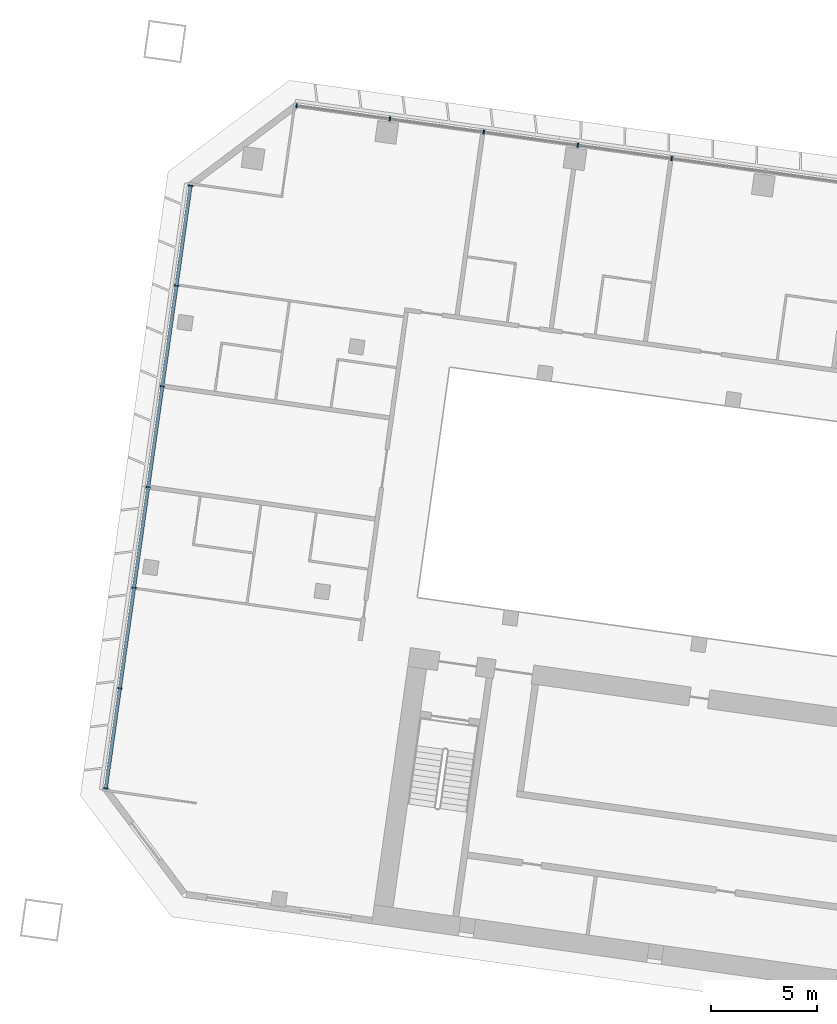
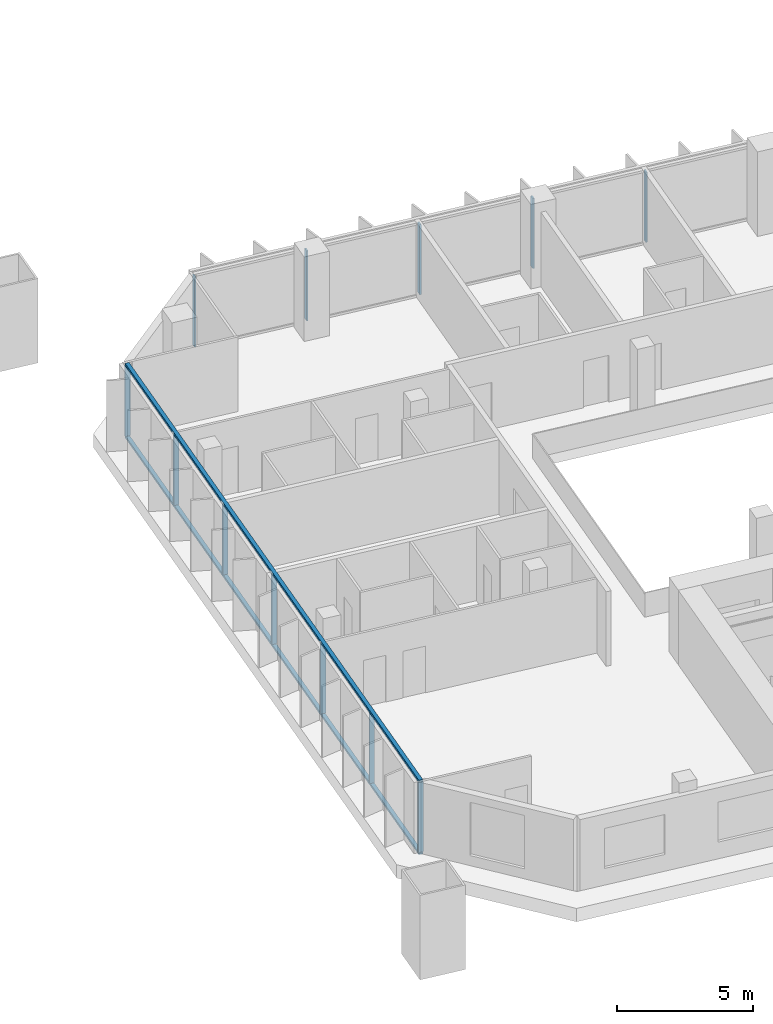
# One storey, part 2 of 24: 14 members, 2 elements without a shape of their own.
"""IFC4 building model written with IfcOpenShell, lengths in metres."""

from ifc_helpers import new_model, si_unit, direction, frame, origin, origin_2d, place, context, subcontext, project, spatial, rectangle, extrude, material, material_profile, profile_set, type_object, element, aggregate, save


model = new_model("IFC4")

# Units and contexts
model_context = context("Model", 3, precision=1e-05, world=origin(), true_north=direction((0.0, 1.0)))
body_context = subcontext(model_context, "Body", "Model", "MODEL_VIEW")
ifc_project = project(units=[si_unit("LENGTHUNIT", "METRE"), si_unit("AREAUNIT", "SQUARE_METRE"), si_unit("VOLUMEUNIT", "CUBIC_METRE"), si_unit("PLANEANGLEUNIT", "RADIAN"), si_unit("MASSUNIT", "GRAM", prefix="KILO")], contexts=[model_context])

# Site, building, storey
site_placement = place(None, origin())
site = spatial("IfcSite", under=ifc_project, at=site_placement, CompositionType="ELEMENT")
building_placement = place(site_placement, origin())
building = spatial("IfcBuilding", under=site, at=building_placement, Name="Mirante Cascada Hotel Towers", CompositionType="ELEMENT")
storey_placement = place(building_placement, frame((0.0, 0.0, 50.9)))
storey = spatial("IfcBuildingStorey", under=building, at=storey_placement, Name="L09", CompositionType="ELEMENT", Elevation=50.9)

# Curtain wall, members
ifc_material_1 = material(Name="Aluminium mullion and transom frame with clear laminated glass", Category="aluminium")
curtain_wall_type_1 = type_object("IfcCurtainWallType", Name="Ribbon curtain wall ECW1", PredefinedType="NOTDEFINED", material=ifc_material_1)
curtain_wall_1_placement = place(storey_placement, origin())
curtain_wall_1 = element("IfcCurtainWall", 1, at=curtain_wall_1_placement, inside=storey, type_object=curtain_wall_type_1, Name="Front ribbon wall T1 L09", PredefinedType="NOTDEFINED")
ifc_material_2 = material(Name="Anodised aluminium extrusion", Category="aluminium")
ifc_material_profile_1 = material_profile(ifc_material_2, rectangle(XDim=0.2, YDim=0.065, at=origin_2d()), Name="ECW1 MULLION 65x200")
ifc_profile_set_1 = profile_set([ifc_material_profile_1], Name="Anodised aluminium extrusion")
member_type_1 = type_object("IfcMemberType", Name="ECW1 mullion 65x200", PredefinedType="MULLION", material=ifc_profile_set_1)
member_1_placement = place(storey_placement, frame((-94.126, 26.0476, 0.1), z_axis=(0.0, 0.0, 1.0), x_axis=(0.1391731, 0.9902681, 0.0)))
member_1 = element("IfcMember", 2, at=member_1_placement, type_object=member_type_1, Name="ECW1 mullion 1", PredefinedType="MULLION", context=body_context, shape_type="SweptSolid", body=[
    extrude(rectangle(XDim=0.2, YDim=0.065, at=origin_2d()), origin(), (0.0, 0.0, 1.0), 3.15),
])
member_2_placement = place(storey_placement, frame((-89.7107, 25.427, 0.1), z_axis=(0.0, 0.0, 1.0), x_axis=(0.1391731, 0.9902681, 0.0)))
member_2 = element("IfcMember", 3, at=member_2_placement, type_object=member_type_1, Name="ECW1 mullion 2", PredefinedType="MULLION", context=body_context, shape_type="SweptSolid", body=[
    extrude(rectangle(XDim=0.2, YDim=0.065, at=origin_2d()), origin(), (0.0, 0.0, 1.0), 3.15),
])
member_3_placement = place(storey_placement, frame((-85.2633, 24.802, 0.1), z_axis=(0.0, 0.0, 1.0), x_axis=(0.1391731, 0.9902681, 0.0)))
member_3 = element("IfcMember", 4, at=member_3_placement, type_object=member_type_1, Name="ECW1 mullion 3", PredefinedType="MULLION", context=body_context, shape_type="SweptSolid", body=[
    extrude(rectangle(XDim=0.2, YDim=0.065, at=origin_2d()), origin(), (0.0, 0.0, 1.0), 3.15),
])
member_4_placement = place(storey_placement, frame((-80.8159, 24.177, 0.1), z_axis=(0.0, 0.0, 1.0), x_axis=(0.1391731, 0.9902681, 0.0)))
member_4 = element("IfcMember", 5, at=member_4_placement, type_object=member_type_1, Name="ECW1 mullion 4", PredefinedType="MULLION", context=body_context, shape_type="SweptSolid", body=[
    extrude(rectangle(XDim=0.2, YDim=0.065, at=origin_2d()), origin(), (0.0, 0.0, 1.0), 3.15),
])
member_5_placement = place(storey_placement, frame((-76.3685, 23.5519, 0.1), z_axis=(0.0, 0.0, 1.0), x_axis=(0.1391731, 0.9902681, 0.0)))
member_5 = element("IfcMember", 6, at=member_5_placement, type_object=member_type_1, Name="ECW1 mullion 5", PredefinedType="MULLION", context=body_context, shape_type="SweptSolid", body=[
    extrude(rectangle(XDim=0.2, YDim=0.065, at=origin_2d()), origin(), (0.0, 0.0, 1.0), 3.15),
])
aggregate(curtain_wall_1, [member_1, member_2, member_3, member_4, member_5])

ifc_material_3 = material(Name="Aluminium mullion and transom frame with clear laminated glass", Category="aluminium")
curtain_wall_type_2 = type_object("IfcCurtainWallType", Name="End ribbon curtain wall ECW2", PredefinedType="NOTDEFINED", material=ifc_material_3)
curtain_wall_2_placement = place(storey_placement, origin())
curtain_wall_2 = element("IfcCurtainWall", 7, at=curtain_wall_2_placement, inside=storey, type_object=curtain_wall_type_2, Name="Outer end wall T1 L09", PredefinedType="NOTDEFINED")
ifc_material_4 = material(Name="Anodised aluminium extrusion", Category="aluminium")
ifc_material_profile_2 = material_profile(ifc_material_4, rectangle(XDim=0.2, YDim=0.065, at=origin_2d()), Name="ECW2 MULLION 65x200")
ifc_profile_set_2 = profile_set([ifc_material_profile_2], Name="Anodised aluminium extrusion")
member_type_2 = type_object("IfcMemberType", Name="ECW2 mullion 65x200", PredefinedType="MULLION", material=ifc_profile_set_2)
member_6_placement = place(storey_placement, frame((-103.1556, -6.2656, 0.1), z_axis=(0.0, 0.0, 1.0), x_axis=(-0.9902681, 0.1391731, 0.0)))
member_6 = element("IfcMember", 8, at=member_6_placement, type_object=member_type_2, Name="ECW2 mullion 1", PredefinedType="MULLION", context=body_context, shape_type="SweptSolid", body=[
    extrude(rectangle(XDim=0.2, YDim=0.065, at=origin_2d()), origin(), (0.0, 0.0, 1.0), 3.15),
])
member_7_placement = place(storey_placement, frame((-102.4903, -1.532, 0.1), z_axis=(0.0, 0.0, 1.0), x_axis=(-0.9902681, 0.1391731, 0.0)))
member_7 = element("IfcMember", 9, at=member_7_placement, type_object=member_type_2, Name="ECW2 mullion 2", PredefinedType="MULLION", context=body_context, shape_type="SweptSolid", body=[
    extrude(rectangle(XDim=0.2, YDim=0.065, at=origin_2d()), origin(), (0.0, 0.0, 1.0), 3.15),
])
member_8_placement = place(storey_placement, frame((-101.8205, 3.2338, 0.1), z_axis=(0.0, 0.0, 1.0), x_axis=(-0.9902681, 0.1391731, 0.0)))
member_8 = element("IfcMember", 10, at=member_8_placement, type_object=member_type_2, Name="ECW2 mullion 3", PredefinedType="MULLION", context=body_context, shape_type="SweptSolid", body=[
    extrude(rectangle(XDim=0.2, YDim=0.065, at=origin_2d()), origin(), (0.0, 0.0, 1.0), 3.15),
])
member_9_placement = place(storey_placement, frame((-101.1508, 7.9996, 0.1), z_axis=(0.0, 0.0, 1.0), x_axis=(-0.9902681, 0.1391731, 0.0)))
member_9 = element("IfcMember", 11, at=member_9_placement, type_object=member_type_2, Name="ECW2 mullion 4", PredefinedType="MULLION", context=body_context, shape_type="SweptSolid", body=[
    extrude(rectangle(XDim=0.2, YDim=0.065, at=origin_2d()), origin(), (0.0, 0.0, 1.0), 3.15),
])
member_10_placement = place(storey_placement, frame((-100.481, 12.7654, 0.1), z_axis=(0.0, 0.0, 1.0), x_axis=(-0.9902681, 0.1391731, 0.0)))
member_10 = element("IfcMember", 12, at=member_10_placement, type_object=member_type_2, Name="ECW2 mullion 5", PredefinedType="MULLION", context=body_context, shape_type="SweptSolid", body=[
    extrude(rectangle(XDim=0.2, YDim=0.065, at=origin_2d()), origin(), (0.0, 0.0, 1.0), 3.15),
])
member_11_placement = place(storey_placement, frame((-99.8112, 17.5312, 0.1), z_axis=(0.0, 0.0, 1.0), x_axis=(-0.9902681, 0.1391731, 0.0)))
member_11 = element("IfcMember", 13, at=member_11_placement, type_object=member_type_2, Name="ECW2 mullion 6", PredefinedType="MULLION", context=body_context, shape_type="SweptSolid", body=[
    extrude(rectangle(XDim=0.2, YDim=0.065, at=origin_2d()), origin(), (0.0, 0.0, 1.0), 3.15),
])
member_12_placement = place(storey_placement, frame((-99.1459, 22.2648, 0.1), z_axis=(0.0, 0.0, 1.0), x_axis=(-0.9902681, 0.1391731, 0.0)))
member_12 = element("IfcMember", 14, at=member_12_placement, type_object=member_type_2, Name="ECW2 mullion 7", PredefinedType="MULLION", context=body_context, shape_type="SweptSolid", body=[
    extrude(rectangle(XDim=0.2, YDim=0.065, at=origin_2d()), origin(), (0.0, 0.0, 1.0), 3.15),
])
ifc_material_5 = material(Name="Anodised aluminium extrusion", Category="aluminium")
ifc_material_profile_3 = material_profile(ifc_material_5, rectangle(XDim=0.16, YDim=0.1, at=origin_2d()), Name="ECW2 TRANSOM 100x160")
ifc_profile_set_3 = profile_set([ifc_material_profile_3], Name="Anodised aluminium extrusion")
member_type_3 = type_object("IfcMemberType", Name="ECW2 transom 100x160", PredefinedType="USERDEFINED", material=ifc_profile_set_3)
member_13_placement = place(storey_placement, frame((-103.1601, -6.2978, 0.05), z_axis=(0.1391723, 0.9902682, 0.0), x_axis=(-0.9902682, 0.1391723, 0.0)))
member_13 = element("IfcMember", 15, at=member_13_placement, type_object=member_type_3, Name="ECW2 sill transom", ObjectType="TRANSOM", PredefinedType="USERDEFINED", context=body_context, shape_type="SweptSolid", body=[
    extrude(rectangle(XDim=0.16, YDim=0.1, at=origin_2d()), origin(), (0.0, 0.0, 1.0), 28.8757),
])
member_14_placement = place(storey_placement, frame((-103.1601, -6.2978, 3.3), z_axis=(0.1391723, 0.9902682, 0.0), x_axis=(-0.9902682, 0.1391723, 0.0)))
member_14 = element("IfcMember", 16, at=member_14_placement, type_object=member_type_3, Name="ECW2 head transom", ObjectType="TRANSOM", PredefinedType="USERDEFINED", context=body_context, shape_type="SweptSolid", body=[
    extrude(rectangle(XDim=0.16, YDim=0.1, at=origin_2d()), origin(), (0.0, 0.0, 1.0), 28.8757),
])
aggregate(curtain_wall_2, [member_13, member_14, member_6, member_7, member_8, member_9, member_10, member_11, member_12])

save(model, "model.ifc")
